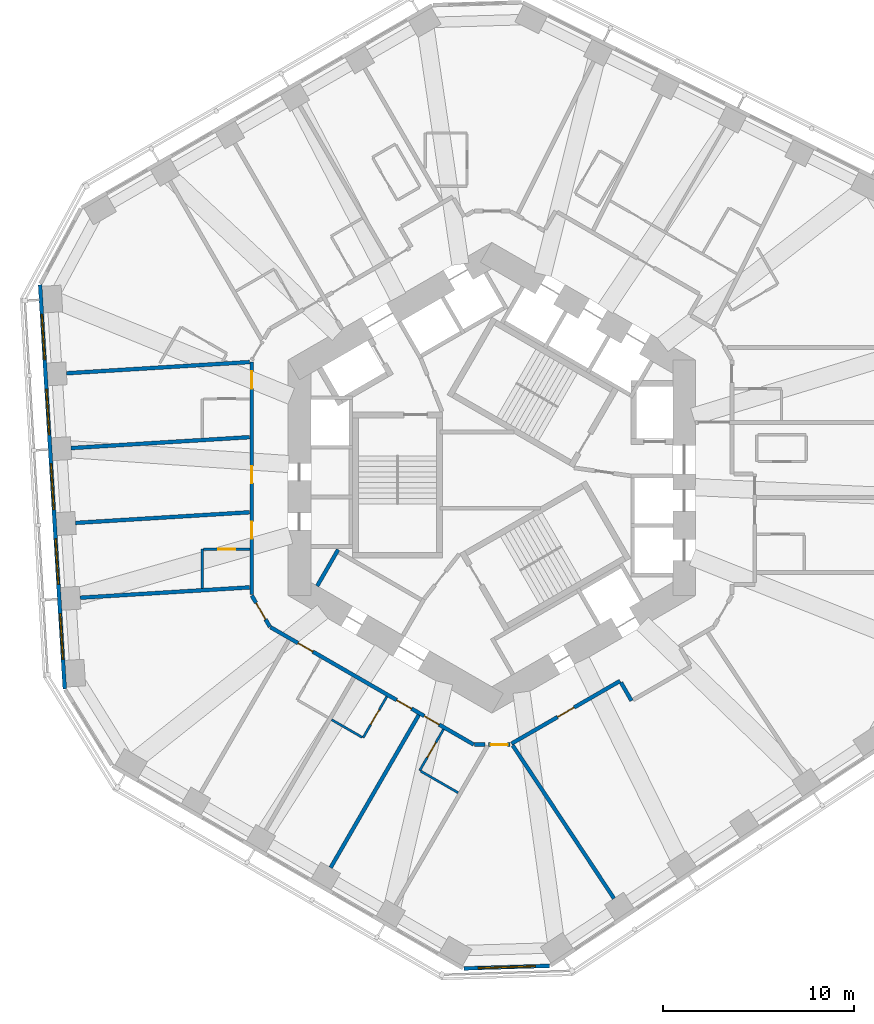
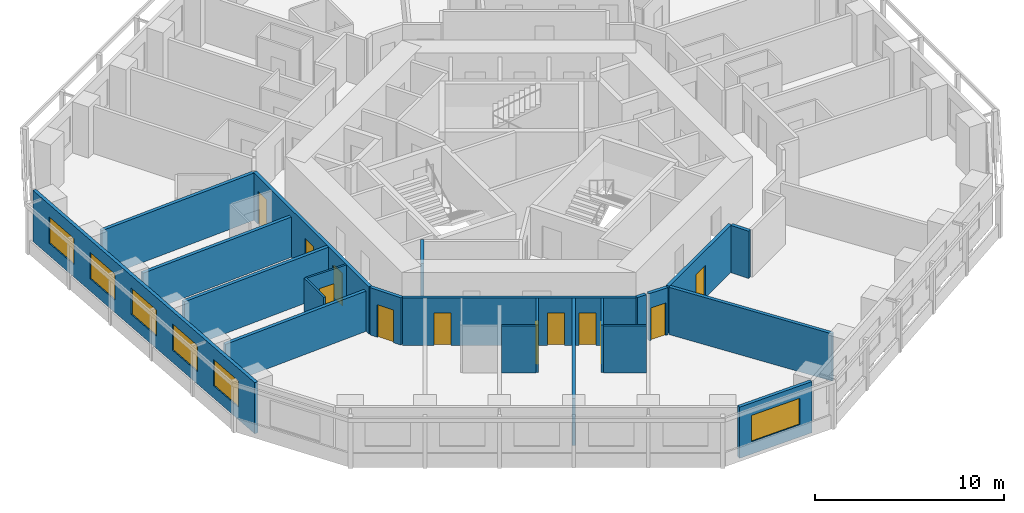
# One storey, part 4 of 12: 22 walls, 12 doors, 6 windows, 18 openings.
"""IFC4 building model written with IfcOpenShell, lengths in metres."""

import ifcopenshell
import ifcopenshell.guid

model = None  # the IFC model being written
_history = None  # IfcOwnerHistory: only IFC2X3 demands one
_inside = {}  # id of a spatial element -> (the spatial element, [elements in it])
_under = {}  # id of a project, library or spatial element -> (it, [spatial elements below it])
_declared = {}  # id of a project -> (the project, [libraries it declares])
_typed = {}  # id of a type object -> (the type object, [elements of that type])
_made_of = {}  # id of a material, layer set ... -> (it, [elements and type objects made of it])


def new_model(schema):
    """Start an empty IFC model of exactly this schema.

    Asked for "IFC4X3", IfcOpenShell would pick the latest addendum, in which some entities
    have other attributes; the version numbers below select the first issue.
    IFC2X3 requires an IfcOwnerHistory on every rooted entity: one is made here for all.
    """
    global model, _history
    if schema == "IFC4X3":
        model = ifcopenshell.file(schema_version=(4, 3, 0, 0))
    else:
        model = ifcopenshell.file(schema=schema)
    _inside.clear()
    _under.clear()
    _declared.clear()
    _typed.clear()
    _made_of.clear()
    _history = None
    if model.schema == "IFC2X3":
        org = make("IfcOrganization", Name="unknown")
        user = make(
            "IfcPersonAndOrganization",
            ThePerson=make("IfcPerson", FamilyName="unknown"),
            TheOrganization=org,
        )
        app = make(
            "IfcApplication",
            ApplicationDeveloper=org,
            Version="unknown",
            ApplicationFullName="unknown",
            ApplicationIdentifier="unknown",
        )
        _history = make(
            "IfcOwnerHistory",
            OwningUser=user,
            OwningApplication=app,
            ChangeAction="ADDED",
            CreationDate=0,
        )
    return model


def make(cls, **values):
    """One entity of the class cls with the attributes given. An attribute that is None is left unset."""
    return model.create_entity(
        cls, **{name: value for name, value in values.items() if value is not None}
    )


def rooted(cls, **values):
    """An entity with a GlobalId (a new one), such as an element, a storey or a relation."""
    return make(cls, GlobalId=ifcopenshell.guid.new(), OwnerHistory=_history, **values)


def si_unit(unit_type, name, prefix=None):
    """IfcSIUnit, for example si_unit("LENGTHUNIT", "METRE", prefix="MILLI")."""
    return make("IfcSIUnit", UnitType=unit_type, Prefix=prefix, Name=name)


def assignment(units):
    """IfcUnitAssignment: the units of a project."""
    return None if units is None else make("IfcUnitAssignment", Units=units)


def point(xyz):
    """IfcCartesianPoint."""
    return None if xyz is None else make("IfcCartesianPoint", Coordinates=xyz)


def direction(xyz):
    """IfcDirection."""
    return None if xyz is None else make("IfcDirection", DirectionRatios=xyz)


def frame(location, z_axis=None, x_axis=None):
    """IfcAxis2Placement3D, a coordinate frame: its origin and axes. An axis left out is left unset."""
    return make(
        "IfcAxis2Placement3D",
        Location=point(location),
        Axis=direction(z_axis),
        RefDirection=direction(x_axis),
    )


def frame_2d(location, x_axis=None):
    """IfcAxis2Placement2D, a coordinate frame in the plane: its origin and x axis."""
    return make(
        "IfcAxis2Placement2D", Location=point(location), RefDirection=direction(x_axis)
    )


def origin():
    """The frame at (0, 0, 0) with its axes left unset."""
    return frame((0.0, 0.0, 0.0))


def place(relative_to, where):
    """IfcLocalPlacement: puts the frame where relative to a parent placement (None: the world)."""
    return make(
        "IfcLocalPlacement", PlacementRelTo=relative_to, RelativePlacement=where
    )


def context(
    kind, dimensions, precision=None, world=None, true_north=None, identifier=None
):
    """IfcGeometricRepresentationContext, for example the 3D "Model" context."""
    return make(
        "IfcGeometricRepresentationContext",
        ContextIdentifier=identifier,
        ContextType=kind,
        CoordinateSpaceDimension=dimensions,
        Precision=precision,
        WorldCoordinateSystem=world,
        TrueNorth=true_north,
    )


def subcontext(parent, identifier, kind, view, scale=None):
    """IfcGeometricRepresentationSubContext, for example "Body" below "Model"."""
    return make(
        "IfcGeometricRepresentationSubContext",
        ContextIdentifier=identifier,
        ContextType=kind,
        ParentContext=parent,
        TargetScale=scale,
        TargetView=view,
    )


def project(units=None, contexts=None):
    """IfcProject with its units and contexts."""
    return rooted(
        "IfcProject",
        Name="project",
        RepresentationContexts=contexts,
        UnitsInContext=assignment(units),
    )


def spatial(cls, under=None, at=None, **own):
    """A site, building, storey or space (cls), placed at a placement, below another one or the project."""
    s = rooted(cls, ObjectPlacement=at, **own)
    if under is not None:
        _under.setdefault(under.id(), (under, []))[1].append(s)
    return s


def profile(cls, at=None, kind="AREA", **sizes):
    """A parametric profile (cls). Its sizes go by their IFC names, for example OverallWidth=200.0."""
    return make(cls, ProfileType=kind, Position=at, **sizes)


def rectangle(**sizes):
    """IfcRectangleProfileDef."""
    return profile("IfcRectangleProfileDef", **sizes)


def extrude(swept, where, along, depth):
    """IfcExtrudedAreaSolid: the profile swept, set in the frame where, extruded along a direction by depth."""
    return make(
        "IfcExtrudedAreaSolid",
        SweptArea=swept,
        Position=where,
        ExtrudedDirection=direction(along),
        Depth=depth,
    )


def shape(context_of_items, identifier, shape_type, items):
    """IfcShapeRepresentation: the items that make up one representation, for example the "Body"."""
    return make(
        "IfcShapeRepresentation",
        ContextOfItems=context_of_items,
        RepresentationIdentifier=identifier,
        RepresentationType=shape_type,
        Items=items,
    )


def material(Name=None, Category=None):
    """IfcMaterial."""
    return make("IfcMaterial", Name=Name, Category=Category)


def layer(
    of_material, thickness, ventilated=None, Name=None, Category=None, Priority=None
):
    """IfcMaterialLayer: one layer of a wall or slab, of a material (None: an air gap)."""
    return make(
        "IfcMaterialLayer",
        Material=of_material,
        LayerThickness=thickness,
        IsVentilated=ventilated,
        Name=Name,
        Category=Category,
        Priority=Priority,
    )


def layer_set(layers, Name=None):
    """IfcMaterialLayerSet."""
    return make("IfcMaterialLayerSet", MaterialLayers=layers, LayerSetName=Name)


def made_of(thing, what):
    """Note that an element or type object is made of a material, layer set ...; save() writes the relation."""
    if what is not None:
        _made_of.setdefault(what.id(), (what, []))[1].append(thing)
    return thing


def type_object(cls, material=None, **own):
    """A type object (cls), such as IfcWallType, which elements share."""
    return made_of(rooted(cls, **own), material)


def element(
    cls,
    number,
    at=None,
    inside=None,
    cuts=None,
    type_object=None,
    material=None,
    context=None,
    identifier="Body",
    shape_type=None,
    held_by="IfcProductDefinitionShape",
    body=None,
    shapes=None,
    **own,
):
    """One element of the class cls, such as IfcWall. Its Tag is "e" and its number.

    at: its placement. inside: the storey or other place that contains it. cuts: it is an
    opening in that element (IfcRelVoidsElement). A single representation is given by context,
    identifier, shape_type and body (its items); several are given by shapes. held_by: the class
    of the entity that holds the representations. save() writes the other relations.
    """
    e = rooted(cls, Tag="e%d" % number, ObjectPlacement=at, **own)
    if body is not None:
        shapes = [shape(context, identifier, shape_type, body)]
    if shapes is not None:
        e.Representation = make(held_by, Representations=shapes)
    if inside is not None:
        _inside.setdefault(inside.id(), (inside, []))[1].append(e)
    if cuts is not None:
        rooted(
            "IfcRelVoidsElement", RelatingBuildingElement=cuts, RelatedOpeningElement=e
        )
    if type_object is not None:
        _typed.setdefault(type_object.id(), (type_object, []))[1].append(e)
    return made_of(e, material)


def fill(opening, filler):
    """IfcRelFillsElement: the door or window that sits in an opening."""
    return rooted(
        "IfcRelFillsElement",
        RelatingOpeningElement=opening,
        RelatedBuildingElement=filler,
    )


def aggregate(whole, parts):
    """IfcRelAggregates: a whole, such as a stair, and the parts it consists of."""
    return rooted("IfcRelAggregates", RelatingObject=whole, RelatedObjects=parts)


def save(model, path):
    """Write the relations noted so far, then the file.

    IfcRelAggregates (storeys below a building ...), IfcRelContainedInSpatialStructure (elements
    in a storey), IfcRelDefinesByType, IfcRelAssociatesMaterial and IfcRelDeclares: one each for
    every whole, place, type object, material and project.
    """
    for whole, parts in _under.values():
        aggregate(whole, parts)
    for where, things in _inside.values():
        rooted(
            "IfcRelContainedInSpatialStructure",
            RelatedElements=things,
            RelatingStructure=where,
        )
    for kind, things in _typed.values():
        rooted("IfcRelDefinesByType", RelatedObjects=things, RelatingType=kind)
    for what, things in _made_of.values():
        rooted("IfcRelAssociatesMaterial", RelatedObjects=things, RelatingMaterial=what)
    for by, libraries in _declared.values():
        rooted("IfcRelDeclares", RelatingContext=by, RelatedDefinitions=libraries)
    model.write(path)


model = new_model("IFC4")

# Units and contexts
model_context = context("Model", 3, precision=1e-05, world=origin(), true_north=direction((0.0, 1.0)))
body_context = subcontext(model_context, "Body", "Model", "MODEL_VIEW")
ifc_project = project(units=[si_unit("LENGTHUNIT", "METRE"), si_unit("AREAUNIT", "SQUARE_METRE"), si_unit("VOLUMEUNIT", "CUBIC_METRE"), si_unit("PLANEANGLEUNIT", "RADIAN"), si_unit("MASSUNIT", "GRAM", prefix="KILO")], contexts=[model_context])

# Site, building, storey
site_placement = place(None, origin())
site = spatial("IfcSite", under=ifc_project, at=site_placement, CompositionType="ELEMENT")
building_placement = place(site_placement, origin())
building = spatial("IfcBuilding", under=site, at=building_placement, Name="Vanh Sen Convention Tower", CompositionType="ELEMENT")
storey_placement = place(building_placement, frame((0.0, 0.0, 86.89990234375)))
storey = spatial("IfcBuildingStorey", under=building, at=storey_placement, Name="L19", CompositionType="ELEMENT", Elevation=86.89990234375)

# Wall
ifc_material_1 = material(Name="Moisture-resistant gypsum board on steel studs", Category="steel")
ifc_layer_1 = layer(ifc_material_1, 0.1201171875)
ifc_layer_set_1 = layer_set([ifc_layer_1], Name="Moisture-resistant gypsum board on steel studs")
wall_type_1 = type_object("IfcWallType", Name="Bathroom partition 120", PredefinedType="PARTITIONING", material=ifc_layer_set_1)
wall_1_placement = place(storey_placement, frame((-15.199951171875, -5.8037109375, 0.0), z_axis=(0.0, 0.0, 1.0), x_axis=(0.0, 1.0, 0.0)))
element("IfcWall", 1, at=wall_1_placement, inside=storey, type_object=wall_type_1, Name="Bathroom partition 120", PredefinedType="PARTITIONING", context=body_context, shape_type="SweptSolid", body=[
    extrude(rectangle(XDim=2.059326171875, YDim=0.1201171875, at=frame_2d((1.02978515625, 0.0))), origin(), (0.0, 0.0, 1.0), 3.050048828125),
])

# Wall, opening, door
wall_2_placement = place(storey_placement, frame((-15.139892578125, -3.744384765625, 0.0), z_axis=(0.0, 0.0, 1.0), x_axis=(1.0, 0.0, 0.0)))
wall_2 = element("IfcWall", 2, at=wall_2_placement, inside=storey, type_object=wall_type_1, Name="Bathroom partition 120", PredefinedType="PARTITIONING", context=body_context, shape_type="SweptSolid", body=[
    extrude(rectangle(XDim=2.43994140625, YDim=0.1201171875, at=frame_2d((1.219970703125, 0.0))), origin(), (0.0, 0.0, 1.0), 3.050048828125),
])
opening_1_placement = place(wall_2_placement, frame((0.77001953125, 0.0, 0.0)))
opening_1 = element("IfcOpeningElement", 3, at=opening_1_placement, cuts=wall_2, Name="Opening D19129", PredefinedType="OPENING", context=body_context, shape_type="SweptSolid", body=[
    extrude(rectangle(XDim=0.89990234375, YDim=2.10009765625, at=frame_2d((0.449951171875, 1.050048828125))), frame((0.0, 0.070068359375, 0.0), z_axis=(0.0, -1.0, 0.0), x_axis=(1.0, 0.0, 0.0)), (0.0, 0.0, 1.0), 0.14013671875),
])
ifc_material_2 = material(Name="Laminate door in steel frame", Category="steel")
door_type_1 = type_object("IfcDoorType", Name="En-suite door 900", OperationType="SINGLE_SWING_LEFT", PredefinedType="DOOR", material=ifc_material_2)
door_1_placement = place(opening_1_placement, origin())
door_1 = element("IfcDoor", 4, at=door_1_placement, inside=storey, type_object=door_type_1, Name="En-suite door D19129", OperationType="SINGLE_SWING_LEFT", OverallHeight=2.10009765625, OverallWidth=0.89990234375, PredefinedType="DOOR", context=body_context, shape_type="SweptSolid", body=[
    extrude(rectangle(XDim=0.89990234375, YDim=2.10009765625, at=frame_2d((0.449951171875, 1.050048828125))), frame((0.0, 0.02490234375, 0.0), z_axis=(0.0, -1.0, 0.0), x_axis=(1.0, 0.0, 0.0)), (0.0, 0.0, 1.0), 0.050048828125),
])
fill(opening_1, door_1)

# Wall
wall_3_placement = place(storey_placement, frame((-6.81201171875, -13.618408203125, 0.0), z_axis=(0.0, 0.0, 1.0), x_axis=(-0.866046386007, 0.499963655964, 0.0)))
element("IfcWall", 5, at=wall_3_placement, inside=storey, type_object=wall_type_1, Name="Bathroom partition 120", PredefinedType="PARTITIONING", context=body_context, shape_type="SweptSolid", body=[
    extrude(rectangle(XDim=1.840087890625, YDim=0.1201171875, at=frame_2d((0.919921875, 0.0))), origin(), (0.0, 0.0, 1.0), 3.050048828125),
])

# Wall, opening, door
wall_4_placement = place(storey_placement, frame((-5.510009765625, -11.4833984375, 0.0), z_axis=(0.0, 0.0, 1.0), x_axis=(-0.500004234368, -0.866022959057, 0.0)))
wall_4 = element("IfcWall", 6, at=wall_4_placement, inside=storey, type_object=wall_type_1, Name="Bathroom partition 120", PredefinedType="PARTITIONING", context=body_context, shape_type="SweptSolid", body=[
    extrude(rectangle(XDim=2.5, YDim=0.1201171875, at=frame_2d((1.25, 0.0))), origin(), (0.0, 0.0, 1.0), 3.050048828125),
])
opening_2_placement = place(wall_4_placement, frame((0.800048828125, 0.0, 0.0)))
opening_2 = element("IfcOpeningElement", 7, at=opening_2_placement, cuts=wall_4, Name="Opening D19134", PredefinedType="OPENING", context=body_context, shape_type="SweptSolid", body=[
    extrude(rectangle(XDim=0.89990234375, YDim=2.10009765625, at=frame_2d((0.449951171875, 1.050048828125))), frame((0.0, 0.070068359375, 0.0), z_axis=(0.0, -1.0, 0.0), x_axis=(1.0, 0.0, 0.0)), (0.0, 0.0, 1.0), 0.14013671875),
])
door_2_placement = place(opening_2_placement, origin())
door_2 = element("IfcDoor", 8, at=door_2_placement, inside=storey, type_object=door_type_1, Name="En-suite door D19134", OperationType="SINGLE_SWING_LEFT", OverallHeight=2.10009765625, OverallWidth=0.89990234375, PredefinedType="DOOR", context=body_context, shape_type="SweptSolid", body=[
    extrude(rectangle(XDim=0.89990234375, YDim=2.10009765625, at=frame_2d((0.449951171875, 1.050048828125))), frame((0.0, 0.02490234375, 0.0), z_axis=(0.0, -1.0, 0.0), x_axis=(1.0, 0.0, 0.0)), (0.0, 0.0, 1.0), 0.050048828125),
])
fill(opening_2, door_2)

wall_5_placement = place(storey_placement, frame((-3.78564453125, -15.36572265625, 0.0), z_axis=(0.0, 0.0, 1.0), x_axis=(0.500004234368, 0.866022959057, 0.0)))
wall_5 = element("IfcWall", 9, at=wall_5_placement, inside=storey, type_object=wall_type_1, Name="Bathroom partition 120", PredefinedType="PARTITIONING", context=body_context, shape_type="SweptSolid", body=[
    extrude(rectangle(XDim=2.5, YDim=0.1201171875, at=frame_2d((1.25, 0.0))), origin(), (0.0, 0.0, 1.0), 3.050048828125),
])
opening_3_placement = place(wall_5_placement, frame((0.800048828125, 0.0, 0.0)))
opening_3 = element("IfcOpeningElement", 10, at=opening_3_placement, cuts=wall_5, Name="Opening D19136", PredefinedType="OPENING", context=body_context, shape_type="SweptSolid", body=[
    extrude(rectangle(XDim=0.89990234375, YDim=2.10009765625, at=frame_2d((0.449951171875, 1.050048828125))), frame((0.0, 0.070068359375, 0.0), z_axis=(0.0, -1.0, 0.0), x_axis=(1.0, 0.0, 0.0)), (0.0, 0.0, 1.0), 0.14013671875),
])
door_3_placement = place(opening_3_placement, origin())
door_3 = element("IfcDoor", 11, at=door_3_placement, inside=storey, type_object=door_type_1, Name="En-suite door D19136", OperationType="SINGLE_SWING_LEFT", OverallHeight=2.10009765625, OverallWidth=0.89990234375, PredefinedType="DOOR", context=body_context, shape_type="SweptSolid", body=[
    extrude(rectangle(XDim=0.89990234375, YDim=2.10009765625, at=frame_2d((0.449951171875, 1.050048828125))), frame((0.0, 0.02490234375, 0.0), z_axis=(0.0, -1.0, 0.0), x_axis=(1.0, 0.0, 0.0)), (0.0, 0.0, 1.0), 0.050048828125),
])
fill(opening_3, door_3)

# Wall
wall_6_placement = place(storey_placement, frame((-1.763671875, -16.533203125, 0.0), z_axis=(0.0, 0.0, 1.0), x_axis=(-0.866008641419, 0.500029032144, 0.0)))
element("IfcWall", 12, at=wall_6_placement, inside=storey, type_object=wall_type_1, Name="Bathroom partition 120", PredefinedType="PARTITIONING", context=body_context, shape_type="SweptSolid", body=[
    extrude(rectangle(XDim=2.274658203125, YDim=0.1201171875, at=frame_2d((1.13720703125, 0.0))), origin(), (0.0, 0.0, 1.0), 3.050048828125),
])

# Wall, opening, door
ifc_material_3 = material(Name="Gypsum board on steel studs with mineral wool", Category="steel")
ifc_layer_2 = layer(ifc_material_3, 0.199951171875)
ifc_layer_set_2 = layer_set([ifc_layer_2], Name="Gypsum board on steel studs with mineral wool")
wall_type_2 = type_object("IfcWallType", Name="Corridor partition wall 200", PredefinedType="PARTITIONING", material=ifc_layer_set_2)
wall_7_placement = place(storey_placement, frame((-12.60009765625, -6.177490234375, 0.0), z_axis=(0.0, 0.0, 1.0), x_axis=(0.500063520245, -0.865988727248, 0.0)))
wall_7 = element("IfcWall", 13, at=wall_7_placement, inside=storey, type_object=wall_type_2, Name="Corridor partition wall 200", PredefinedType="PARTITIONING", context=body_context, shape_type="SweptSolid", body=[
    extrude(rectangle(XDim=1.900146484375, YDim=0.199951171875, at=frame_2d((0.9501953125, 0.0))), origin(), (0.0, 0.0, 1.0), 3.050048828125),
])
opening_4_placement = place(wall_7_placement, frame((0.449951171875, 0.0, 0.0)))
opening_4 = element("IfcOpeningElement", 14, at=opening_4_placement, cuts=wall_7, Name="Opening D19130", PredefinedType="OPENING", context=body_context, shape_type="SweptSolid", body=[
    extrude(rectangle(XDim=1.0, YDim=2.10009765625, at=frame_2d((0.5, 1.050048828125))), frame((0.0, 0.10986328125, 0.0), z_axis=(0.0, -1.0, 0.0), x_axis=(1.0, 0.0, 0.0)), (0.0, 0.0, 1.0), 0.219970703125),
])
ifc_material_4 = material(Name="Timber fire door in steel frame", Category="steel")
door_type_2 = type_object("IfcDoorType", Name="Floor room door 1000", OperationType="SINGLE_SWING_LEFT", PredefinedType="DOOR", material=ifc_material_4)
door_4_placement = place(opening_4_placement, origin())
door_4 = element("IfcDoor", 15, at=door_4_placement, inside=storey, type_object=door_type_2, Name="Meeting and amenity room door D19130", OperationType="SINGLE_SWING_LEFT", OverallHeight=2.10009765625, OverallWidth=1.0, PredefinedType="DOOR", context=body_context, shape_type="SweptSolid", body=[
    extrude(rectangle(XDim=1.0, YDim=2.10009765625, at=frame_2d((0.5, 1.050048828125))), frame((0.0, 0.02490234375, 0.0), z_axis=(0.0, -1.0, 0.0), x_axis=(1.0, 0.0, 0.0)), (0.0, 0.0, 1.0), 0.050048828125),
])
fill(opening_4, door_4)

# Wall, openings, doors
wall_8_placement = place(storey_placement, frame((-12.60009765625, 6.081298828125, 0.0), z_axis=(0.0, 0.0, 1.0), x_axis=(0.0, -1.0, 0.0)))
wall_8 = element("IfcWall", 16, at=wall_8_placement, inside=storey, type_object=wall_type_2, Name="Corridor partition wall 200", PredefinedType="PARTITIONING", context=body_context, shape_type="SweptSolid", body=[
    extrude(rectangle(XDim=12.218994140625, YDim=0.199951171875, at=frame_2d((6.109375, 0.0))), origin(), (0.0, 0.0, 1.0), 3.050048828125),
])
opening_5_placement = place(wall_8_placement, frame((0.495849609375, 0.0, 0.0)))
opening_5 = element("IfcOpeningElement", 17, at=opening_5_placement, cuts=wall_8, Name="Opening D19125", PredefinedType="OPENING", context=body_context, shape_type="SweptSolid", body=[
    extrude(rectangle(XDim=0.89990234375, YDim=2.10009765625, at=frame_2d((0.449951171875, 1.050048828125))), frame((0.0, 0.10986328125, 0.0), z_axis=(0.0, -1.0, 0.0), x_axis=(1.0, 0.0, 0.0)), (0.0, 0.0, 1.0), 0.219970703125),
])
opening_6_placement = place(wall_8_placement, frame((5.462890625, 0.0, 0.0)))
opening_6 = element("IfcOpeningElement", 18, at=opening_6_placement, cuts=wall_8, Name="Opening D19127", PredefinedType="OPENING", context=body_context, shape_type="SweptSolid", body=[
    extrude(rectangle(XDim=0.89990234375, YDim=2.10009765625, at=frame_2d((0.449951171875, 1.050048828125))), frame((0.0, 0.10986328125, 0.0), z_axis=(0.0, -1.0, 0.0), x_axis=(1.0, 0.0, 0.0)), (0.0, 0.0, 1.0), 0.219970703125),
])
opening_7_placement = place(wall_8_placement, frame((8.3798828125, 0.0, 0.0)))
opening_7 = element("IfcOpeningElement", 19, at=opening_7_placement, cuts=wall_8, Name="Opening D19128", PredefinedType="OPENING", context=body_context, shape_type="SweptSolid", body=[
    extrude(rectangle(XDim=0.89990234375, YDim=2.10009765625, at=frame_2d((0.449951171875, 1.050048828125))), frame((0.0, 0.10986328125, 0.0), z_axis=(0.0, -1.0, 0.0), x_axis=(1.0, 0.0, 0.0)), (0.0, 0.0, 1.0), 0.219970703125),
])
door_type_3 = type_object("IfcDoorType", Name="Floor service door 900", OperationType="SINGLE_SWING_LEFT", PredefinedType="DOOR", material=ifc_material_4)
door_5_placement = place(opening_6_placement, origin())
door_5 = element("IfcDoor", 20, at=door_5_placement, inside=storey, type_object=door_type_3, Name="Service room door D19127", OperationType="SINGLE_SWING_LEFT", OverallHeight=2.10009765625, OverallWidth=0.89990234375, PredefinedType="DOOR", context=body_context, shape_type="SweptSolid", body=[
    extrude(rectangle(XDim=0.89990234375, YDim=2.10009765625, at=frame_2d((0.449951171875, 1.050048828125))), frame((0.0, 0.02490234375, 0.0), z_axis=(0.0, -1.0, 0.0), x_axis=(1.0, 0.0, 0.0)), (0.0, 0.0, 1.0), 0.050048828125),
])
fill(opening_6, door_5)
door_type_4 = type_object("IfcDoorType", Name="Guest room door 900", OperationType="SINGLE_SWING_LEFT", PredefinedType="DOOR", material=ifc_material_4)
door_6_placement = place(opening_5_placement, origin())
door_6 = element("IfcDoor", 21, at=door_6_placement, inside=storey, type_object=door_type_4, Name="Hotel guest room door D19125", OperationType="SINGLE_SWING_LEFT", OverallHeight=2.10009765625, OverallWidth=0.89990234375, PredefinedType="DOOR", context=body_context, shape_type="SweptSolid", body=[
    extrude(rectangle(XDim=0.89990234375, YDim=2.10009765625, at=frame_2d((0.449951171875, 1.050048828125))), frame((0.0, 0.02490234375, 0.0), z_axis=(0.0, -1.0, 0.0), x_axis=(1.0, 0.0, 0.0)), (0.0, 0.0, 1.0), 0.050048828125),
])
fill(opening_5, door_6)
door_7_placement = place(opening_7_placement, origin())
door_7 = element("IfcDoor", 22, at=door_7_placement, inside=storey, type_object=door_type_4, Name="Hotel guest room door D19128", OperationType="SINGLE_SWING_LEFT", OverallHeight=2.10009765625, OverallWidth=0.89990234375, PredefinedType="DOOR", context=body_context, shape_type="SweptSolid", body=[
    extrude(rectangle(XDim=0.89990234375, YDim=2.10009765625, at=frame_2d((0.449951171875, 1.050048828125))), frame((0.0, 0.02490234375, 0.0), z_axis=(0.0, -1.0, 0.0), x_axis=(1.0, 0.0, 0.0)), (0.0, 0.0, 1.0), 0.050048828125),
])
fill(opening_7, door_7)

wall_9_placement = place(storey_placement, frame((-11.615478515625, -7.843017578125, 0.0), z_axis=(0.0, 0.0, 1.0), x_axis=(0.866026466995, -0.499998158461, 0.0)))
wall_9 = element("IfcWall", 23, at=wall_9_placement, inside=storey, type_object=wall_type_2, Name="Corridor partition wall 200", PredefinedType="PARTITIONING", context=body_context, shape_type="SweptSolid", body=[
    extrude(rectangle(XDim=12.3154296875, YDim=0.199951171875, at=frame_2d((6.15771484375, 0.0))), origin(), (0.0, 0.0, 1.0), 3.050048828125),
])
opening_8_placement = place(wall_9_placement, frame((1.665283203125, 0.0, 0.0)))
opening_8 = element("IfcOpeningElement", 24, at=opening_8_placement, cuts=wall_9, Name="Opening D19131", PredefinedType="OPENING", context=body_context, shape_type="SweptSolid", body=[
    extrude(rectangle(XDim=0.89990234375, YDim=2.10009765625, at=frame_2d((0.449951171875, 1.050048828125))), frame((0.0, 0.10986328125, 0.0), z_axis=(0.0, -1.0, 0.0), x_axis=(1.0, 0.0, 0.0)), (0.0, 0.0, 1.0), 0.219970703125),
])
opening_9_placement = place(wall_9_placement, frame((7.64990234375, 0.0, 0.0)))
opening_9 = element("IfcOpeningElement", 25, at=opening_9_placement, cuts=wall_9, Name="Opening D19133", PredefinedType="OPENING", context=body_context, shape_type="SweptSolid", body=[
    extrude(rectangle(XDim=0.89990234375, YDim=2.10009765625, at=frame_2d((0.449951171875, 1.050048828125))), frame((0.0, 0.10986328125, 0.0), z_axis=(0.0, -1.0, 0.0), x_axis=(1.0, 0.0, 0.0)), (0.0, 0.0, 1.0), 0.219970703125),
])
opening_10_placement = place(wall_9_placement, frame((9.317138671875, 0.0, 0.0)))
opening_10 = element("IfcOpeningElement", 26, at=opening_10_placement, cuts=wall_9, Name="Opening D19135", PredefinedType="OPENING", context=body_context, shape_type="SweptSolid", body=[
    extrude(rectangle(XDim=0.89990234375, YDim=2.10009765625, at=frame_2d((0.449951171875, 1.050048828125))), frame((0.0, 0.10986328125, 0.0), z_axis=(0.0, -1.0, 0.0), x_axis=(1.0, 0.0, 0.0)), (0.0, 0.0, 1.0), 0.219970703125),
])
door_8_placement = place(opening_8_placement, origin())
door_8 = element("IfcDoor", 27, at=door_8_placement, inside=storey, type_object=door_type_4, Name="Hotel guest room door D19131", OperationType="SINGLE_SWING_LEFT", OverallHeight=2.10009765625, OverallWidth=0.89990234375, PredefinedType="DOOR", context=body_context, shape_type="SweptSolid", body=[
    extrude(rectangle(XDim=0.89990234375, YDim=2.10009765625, at=frame_2d((0.449951171875, 1.050048828125))), frame((0.0, 0.02490234375, 0.0), z_axis=(0.0, -1.0, 0.0), x_axis=(1.0, 0.0, 0.0)), (0.0, 0.0, 1.0), 0.050048828125),
])
fill(opening_8, door_8)
door_9_placement = place(opening_9_placement, origin())
door_9 = element("IfcDoor", 28, at=door_9_placement, inside=storey, type_object=door_type_4, Name="Hotel guest room door D19133", OperationType="SINGLE_SWING_LEFT", OverallHeight=2.10009765625, OverallWidth=0.89990234375, PredefinedType="DOOR", context=body_context, shape_type="SweptSolid", body=[
    extrude(rectangle(XDim=0.89990234375, YDim=2.10009765625, at=frame_2d((0.449951171875, 1.050048828125))), frame((0.0, 0.02490234375, 0.0), z_axis=(0.0, -1.0, 0.0), x_axis=(1.0, 0.0, 0.0)), (0.0, 0.0, 1.0), 0.050048828125),
])
fill(opening_9, door_9)
door_10_placement = place(opening_10_placement, origin())
door_10 = element("IfcDoor", 29, at=door_10_placement, inside=storey, type_object=door_type_4, Name="Hotel guest room door D19135", OperationType="SINGLE_SWING_LEFT", OverallHeight=2.10009765625, OverallWidth=0.89990234375, PredefinedType="DOOR", context=body_context, shape_type="SweptSolid", body=[
    extrude(rectangle(XDim=0.89990234375, YDim=2.10009765625, at=frame_2d((0.449951171875, 1.050048828125))), frame((0.0, 0.02490234375, 0.0), z_axis=(0.0, -1.0, 0.0), x_axis=(1.0, 0.0, 0.0)), (0.0, 0.0, 1.0), 0.050048828125),
])
fill(opening_10, door_10)

# Wall
wall_10_placement = place(storey_placement, frame((-0.909912109375, -14.000732421875, 0.0), z_axis=(0.0, 0.0, 1.0), x_axis=(1.0, 0.0, 0.0)))
element("IfcWall", 30, at=wall_10_placement, inside=storey, type_object=wall_type_2, Name="Corridor partition wall 200", PredefinedType="PARTITIONING", context=body_context, shape_type="SweptSolid", body=[
    extrude(rectangle(XDim=0.559814453125, YDim=0.199951171875, at=frame_2d((0.27978515625, 0.0))), origin(), (0.0, 0.0, 1.0), 3.050048828125),
])

# Wall, opening, door
wall_11_placement = place(storey_placement, frame((-0.186279296875, -14.000732421875, 0.0), z_axis=(0.0, 0.0, 1.0), x_axis=(1.0, 0.0, 0.0)))
wall_11 = element("IfcWall", 31, at=wall_11_placement, inside=storey, type_object=wall_type_2, Name="Corridor partition wall 200", PredefinedType="PARTITIONING", context=body_context, shape_type="SweptSolid", body=[
    extrude(rectangle(XDim=1.13623046875, YDim=0.199951171875, at=frame_2d((0.568115234375, 0.0))), origin(), (0.0, 0.0, 1.0), 3.050048828125),
])
opening_11_placement = place(wall_11_placement, frame((0.1181640625, 0.0, 0.0)))
opening_11 = element("IfcOpeningElement", 32, at=opening_11_placement, cuts=wall_11, Name="Opening D19137", PredefinedType="OPENING", context=body_context, shape_type="SweptSolid", body=[
    extrude(rectangle(XDim=0.89990234375, YDim=2.10009765625, at=frame_2d((0.449951171875, 1.050048828125))), frame((0.0, 0.10986328125, 0.0), z_axis=(0.0, -1.0, 0.0), x_axis=(1.0, 0.0, 0.0)), (0.0, 0.0, 1.0), 0.219970703125),
])
door_type_5 = type_object("IfcDoorType", Name="Floor room door 900", OperationType="SINGLE_SWING_LEFT", PredefinedType="DOOR", material=ifc_material_4)
door_11_placement = place(opening_11_placement, origin())
door_11 = element("IfcDoor", 33, at=door_11_placement, inside=storey, type_object=door_type_5, Name="Meeting and amenity room door D19137", OperationType="SINGLE_SWING_LEFT", OverallHeight=2.10009765625, OverallWidth=0.89990234375, PredefinedType="DOOR", context=body_context, shape_type="SweptSolid", body=[
    extrude(rectangle(XDim=0.89990234375, YDim=2.10009765625, at=frame_2d((0.449951171875, 1.050048828125))), frame((0.0, 0.02490234375, 0.0), z_axis=(0.0, -1.0, 0.0), x_axis=(1.0, 0.0, 0.0)), (0.0, 0.0, 1.0), 0.050048828125),
])
fill(opening_11, door_11)

wall_12_placement = place(storey_placement, frame((1.033447265625, -13.95263671875, 0.0), z_axis=(0.0, 0.0, 1.0), x_axis=(0.866017531406, 0.500013635111, 0.0)))
wall_12 = element("IfcWall", 34, at=wall_12_placement, inside=storey, type_object=wall_type_2, Name="Corridor partition wall 200", PredefinedType="PARTITIONING", context=body_context, shape_type="SweptSolid", body=[
    extrude(rectangle(XDim=6.580322265625, YDim=0.199951171875, at=frame_2d((3.2900390625, 0.0))), origin(), (0.0, 0.0, 1.0), 3.050048828125),
])
opening_12_placement = place(wall_12_placement, frame((2.7900390625, 0.0, 0.0)))
opening_12 = element("IfcOpeningElement", 35, at=opening_12_placement, cuts=wall_12, Name="Opening D19138", PredefinedType="OPENING", context=body_context, shape_type="SweptSolid", body=[
    extrude(rectangle(XDim=1.0, YDim=2.10009765625, at=frame_2d((0.5, 1.050048828125))), frame((0.0, 0.10986328125, 0.0), z_axis=(0.0, -1.0, 0.0), x_axis=(1.0, 0.0, 0.0)), (0.0, 0.0, 1.0), 0.219970703125),
])
door_12_placement = place(opening_12_placement, origin())
door_12 = element("IfcDoor", 36, at=door_12_placement, inside=storey, type_object=door_type_2, Name="Meeting and amenity room door D19138", OperationType="SINGLE_SWING_LEFT", OverallHeight=2.10009765625, OverallWidth=1.0, PredefinedType="DOOR", context=body_context, shape_type="SweptSolid", body=[
    extrude(rectangle(XDim=1.0, YDim=2.10009765625, at=frame_2d((0.5, 1.050048828125))), frame((0.0, 0.02490234375, 0.0), z_axis=(0.0, -1.0, 0.0), x_axis=(1.0, 0.0, 0.0)), (0.0, 0.0, 1.0), 0.050048828125),
])
fill(opening_12, door_12)

# Wall
wall_13_placement = place(storey_placement, frame((6.781982421875, -10.7490234375, 0.0), z_axis=(0.0, 0.0, 1.0), x_axis=(0.500074377092, -0.865982457891, 0.0)))
element("IfcWall", 37, at=wall_13_placement, inside=storey, type_object=wall_type_2, Name="Corridor partition wall 200", PredefinedType="PARTITIONING", context=body_context, shape_type="SweptSolid", body=[
    extrude(rectangle(XDim=1.100830078125, YDim=0.199951171875, at=frame_2d((0.55029296875, 0.0))), origin(), (0.0, 0.0, 1.0), 3.050048828125),
])

# Wall, openings, windows
ifc_material_5 = material(Name="Insulated lightweight infill wall")
ifc_layer_3 = layer(ifc_material_5, 0.199951171875)
ifc_layer_set_3 = layer_set([ifc_layer_3], Name="Insulated lightweight infill wall")
wall_type_3 = type_object("IfcWallType", Name="External wall 200", PredefinedType="STANDARD", material=ifc_layer_set_3)
wall_14_placement = place(storey_placement, frame((-23.712646484375, 10.130859375, 0.0), z_axis=(0.0, 0.0, 1.0), x_axis=(0.061040439785, -0.998135293791, 0.0)))
wall_14 = element("IfcWall", 38, at=wall_14_placement, inside=storey, type_object=wall_type_3, Name="External wall W L19", PredefinedType="STANDARD", context=body_context, shape_type="SweptSolid", body=[
    extrude(rectangle(XDim=21.24609375, YDim=0.199951171875, at=frame_2d((10.623046875, 0.0))), origin(), (0.0, 0.0, 1.0), 3.300048828125),
])
opening_13_placement = place(wall_14_placement, frame((1.552978515625, 0.0, 0.800048828125)))
opening_13 = element("IfcOpeningElement", 39, at=opening_13_placement, cuts=wall_14, Name="Opening WH1-W1", PredefinedType="OPENING", context=body_context, shape_type="SweptSolid", body=[
    extrude(rectangle(XDim=2.39990234375, YDim=1.699951171875, at=frame_2d((1.199951171875, 0.85009765625))), frame((0.0, 0.10986328125, 0.0), z_axis=(0.0, -1.0, 0.0), x_axis=(1.0, 0.0, 0.0)), (0.0, 0.0, 1.0), 0.219970703125),
])
opening_14_placement = place(wall_14_placement, frame((5.48779296875, 0.0, 0.800048828125)))
opening_14 = element("IfcOpeningElement", 40, at=opening_14_placement, cuts=wall_14, Name="Opening WH1-W2", PredefinedType="OPENING", context=body_context, shape_type="SweptSolid", body=[
    extrude(rectangle(XDim=2.39990234375, YDim=1.699951171875, at=frame_2d((1.199951171875, 0.85009765625))), frame((0.0, 0.10986328125, 0.0), z_axis=(0.0, -1.0, 0.0), x_axis=(1.0, 0.0, 0.0)), (0.0, 0.0, 1.0), 0.219970703125),
])
opening_15_placement = place(wall_14_placement, frame((9.42236328125, 0.0, 0.800048828125)))
opening_15 = element("IfcOpeningElement", 41, at=opening_15_placement, cuts=wall_14, Name="Opening WH1-W3", PredefinedType="OPENING", context=body_context, shape_type="SweptSolid", body=[
    extrude(rectangle(XDim=2.39990234375, YDim=1.699951171875, at=frame_2d((1.199951171875, 0.85009765625))), frame((0.0, 0.10986328125, 0.0), z_axis=(0.0, -1.0, 0.0), x_axis=(1.0, 0.0, 0.0)), (0.0, 0.0, 1.0), 0.219970703125),
])
opening_16_placement = place(wall_14_placement, frame((13.35693359375, 0.0, 0.800048828125)))
opening_16 = element("IfcOpeningElement", 42, at=opening_16_placement, cuts=wall_14, Name="Opening WH1-W4", PredefinedType="OPENING", context=body_context, shape_type="SweptSolid", body=[
    extrude(rectangle(XDim=2.39990234375, YDim=1.699951171875, at=frame_2d((1.199951171875, 0.85009765625))), frame((0.0, 0.10986328125, 0.0), z_axis=(0.0, -1.0, 0.0), x_axis=(1.0, 0.0, 0.0)), (0.0, 0.0, 1.0), 0.219970703125),
])
opening_17_placement = place(wall_14_placement, frame((17.29150390625, 0.0, 0.800048828125)))
opening_17 = element("IfcOpeningElement", 43, at=opening_17_placement, cuts=wall_14, Name="Opening WH1-W5", PredefinedType="OPENING", context=body_context, shape_type="SweptSolid", body=[
    extrude(rectangle(XDim=2.39990234375, YDim=1.699951171875, at=frame_2d((1.199951171875, 0.85009765625))), frame((0.0, 0.10986328125, 0.0), z_axis=(0.0, -1.0, 0.0), x_axis=(1.0, 0.0, 0.0)), (0.0, 0.0, 1.0), 0.219970703125),
])
ifc_material_6 = material(Name="Aluminium frame with clear low-emissivity glass", Category="aluminium")
window_type_1 = type_object("IfcWindowType", Name="Hotel window 2400 x 1700", PartitioningType="SINGLE_PANEL", PredefinedType="WINDOW", material=ifc_material_6)
window_1_placement = place(opening_13_placement, origin())
window_1 = element("IfcWindow", 44, at=window_1_placement, inside=storey, type_object=window_type_1, Name="Window WH1-W1", OverallHeight=1.699951171875, OverallWidth=2.39990234375, PartitioningType="SINGLE_PANEL", PredefinedType="WINDOW", context=body_context, shape_type="SweptSolid", body=[
    extrude(rectangle(XDim=2.39990234375, YDim=1.699951171875, at=frame_2d((1.199951171875, 0.85009765625))), frame((0.0, 0.030029296875, 0.0), z_axis=(0.0, -1.0, 0.0), x_axis=(1.0, 0.0, 0.0)), (0.0, 0.0, 1.0), 0.06005859375),
])
fill(opening_13, window_1)
window_2_placement = place(opening_14_placement, origin())
window_2 = element("IfcWindow", 45, at=window_2_placement, inside=storey, type_object=window_type_1, Name="Window WH1-W2", OverallHeight=1.699951171875, OverallWidth=2.39990234375, PartitioningType="SINGLE_PANEL", PredefinedType="WINDOW", context=body_context, shape_type="SweptSolid", body=[
    extrude(rectangle(XDim=2.39990234375, YDim=1.699951171875, at=frame_2d((1.199951171875, 0.85009765625))), frame((0.0, 0.030029296875, 0.0), z_axis=(0.0, -1.0, 0.0), x_axis=(1.0, 0.0, 0.0)), (0.0, 0.0, 1.0), 0.06005859375),
])
fill(opening_14, window_2)
window_3_placement = place(opening_15_placement, origin())
window_3 = element("IfcWindow", 46, at=window_3_placement, inside=storey, type_object=window_type_1, Name="Window WH1-W3", OverallHeight=1.699951171875, OverallWidth=2.39990234375, PartitioningType="SINGLE_PANEL", PredefinedType="WINDOW", context=body_context, shape_type="SweptSolid", body=[
    extrude(rectangle(XDim=2.39990234375, YDim=1.699951171875, at=frame_2d((1.199951171875, 0.85009765625))), frame((0.0, 0.030029296875, 0.0), z_axis=(0.0, -1.0, 0.0), x_axis=(1.0, 0.0, 0.0)), (0.0, 0.0, 1.0), 0.06005859375),
])
fill(opening_15, window_3)
window_4_placement = place(opening_16_placement, origin())
window_4 = element("IfcWindow", 47, at=window_4_placement, inside=storey, type_object=window_type_1, Name="Window WH1-W4", OverallHeight=1.699951171875, OverallWidth=2.39990234375, PartitioningType="SINGLE_PANEL", PredefinedType="WINDOW", context=body_context, shape_type="SweptSolid", body=[
    extrude(rectangle(XDim=2.39990234375, YDim=1.699951171875, at=frame_2d((1.199951171875, 0.85009765625))), frame((0.0, 0.030029296875, 0.0), z_axis=(0.0, -1.0, 0.0), x_axis=(1.0, 0.0, 0.0)), (0.0, 0.0, 1.0), 0.06005859375),
])
fill(opening_16, window_4)
window_5_placement = place(opening_17_placement, origin())
window_5 = element("IfcWindow", 48, at=window_5_placement, inside=storey, type_object=window_type_1, Name="Window WH1-W5", OverallHeight=1.699951171875, OverallWidth=2.39990234375, PartitioningType="SINGLE_PANEL", PredefinedType="WINDOW", context=body_context, shape_type="SweptSolid", body=[
    extrude(rectangle(XDim=2.39990234375, YDim=1.699951171875, at=frame_2d((1.199951171875, 0.85009765625))), frame((0.0, 0.030029296875, 0.0), z_axis=(0.0, -1.0, 0.0), x_axis=(1.0, 0.0, 0.0)), (0.0, 0.0, 1.0), 0.06005859375),
])
fill(opening_17, window_5)

# Wall, opening, window
wall_15_placement = place(storey_placement, frame((-1.461181640625, -25.7548828125, 0.0), z_axis=(0.0, 0.0, 1.0), x_axis=(0.999533823446, 0.030530898895, 0.0)))
wall_15 = element("IfcWall", 49, at=wall_15_placement, inside=storey, type_object=wall_type_3, Name="External wall CH5 L19", PredefinedType="STANDARD", context=body_context, shape_type="SweptSolid", body=[
    extrude(rectangle(XDim=4.494140625, YDim=0.199951171875, at=frame_2d((2.2470703125, 0.0))), origin(), (0.0, 0.0, 1.0), 3.300048828125),
])
opening_18_placement = place(wall_15_placement, frame((0.7470703125, 0.0, 0.800048828125)))
opening_18 = element("IfcOpeningElement", 50, at=opening_18_placement, cuts=wall_15, Name="Opening WH2-CH51", PredefinedType="OPENING", context=body_context, shape_type="SweptSolid", body=[
    extrude(rectangle(XDim=3.0, YDim=1.699951171875, at=frame_2d((1.5, 0.85009765625))), frame((0.0, 0.10986328125, 0.0), z_axis=(0.0, -1.0, 0.0), x_axis=(1.0, 0.0, 0.0)), (0.0, 0.0, 1.0), 0.219970703125),
])
window_type_2 = type_object("IfcWindowType", Name="Hotel window 3000 x 1700", PartitioningType="SINGLE_PANEL", PredefinedType="WINDOW", material=ifc_material_6)
window_6_placement = place(opening_18_placement, origin())
window_6 = element("IfcWindow", 51, at=window_6_placement, inside=storey, type_object=window_type_2, Name="Window WH2-CH51", OverallHeight=1.699951171875, OverallWidth=3.0, PartitioningType="SINGLE_PANEL", PredefinedType="WINDOW", context=body_context, shape_type="SweptSolid", body=[
    extrude(rectangle(XDim=3.0, YDim=1.699951171875, at=frame_2d((1.5, 0.85009765625))), frame((0.0, 0.030029296875, 0.0), z_axis=(0.0, -1.0, 0.0), x_axis=(1.0, 0.0, 0.0)), (0.0, 0.0, 1.0), 0.06005859375),
])
fill(opening_18, window_6)

# Walls
ifc_layer_4 = layer(ifc_material_3, 0.199951171875)
ifc_layer_set_4 = layer_set([ifc_layer_4], Name="Gypsum board on steel studs with mineral wool")
wall_type_4 = type_object("IfcWallType", Name="Hotel party wall 200", PredefinedType="PARTITIONING", material=ifc_layer_set_4)
wall_16_placement = place(storey_placement, frame((-22.32666015625, 5.486328125, 0.0), z_axis=(0.0, 0.0, 1.0), x_axis=(0.998135194863, 0.061042057435, 0.0)))
element("IfcWall", 52, at=wall_16_placement, inside=storey, type_object=wall_type_4, Name="Hotel party wall 200", PredefinedType="PARTITIONING", context=body_context, shape_type="SweptSolid", body=[
    extrude(rectangle(XDim=9.635009765625, YDim=0.199951171875, at=frame_2d((4.8173828125, 0.0))), origin(), (0.0, 0.0, 1.0), 3.050048828125),
])
wall_17_placement = place(storey_placement, frame((-22.08642578125, 1.55908203125, 0.0), z_axis=(0.0, 0.0, 1.0), x_axis=(0.99813491363, 0.061046655873, 0.0)))
element("IfcWall", 53, at=wall_17_placement, inside=storey, type_object=wall_type_4, Name="Hotel party wall 200", PredefinedType="PARTITIONING", context=body_context, shape_type="SweptSolid", body=[
    extrude(rectangle(XDim=9.394287109375, YDim=0.199951171875, at=frame_2d((4.697265625, 0.0))), origin(), (0.0, 0.0, 1.0), 2.60009765625),
])
wall_18_placement = place(storey_placement, frame((-21.84619140625, -2.3681640625, 0.0), z_axis=(0.0, 0.0, 1.0), x_axis=(0.998134617584, 0.061051496129, 0.0)))
element("IfcWall", 54, at=wall_18_placement, inside=storey, type_object=wall_type_4, Name="Hotel party wall 200", PredefinedType="PARTITIONING", context=body_context, shape_type="SweptSolid", body=[
    extrude(rectangle(XDim=9.153564453125, YDim=0.199951171875, at=frame_2d((4.57666015625, 0.0))), origin(), (0.0, 0.0, 1.0), 3.050048828125),
])
wall_19_placement = place(storey_placement, frame((-21.60595703125, -6.29541015625, 0.0), z_axis=(0.0, 0.0, 1.0), x_axis=(0.998134305525, 0.061056597794, 0.0)))
element("IfcWall", 55, at=wall_19_placement, inside=storey, type_object=wall_type_4, Name="Hotel party wall 200", PredefinedType="PARTITIONING", context=body_context, shape_type="SweptSolid", body=[
    extrude(rectangle(XDim=8.912841796875, YDim=0.199951171875, at=frame_2d((4.45654296875, 0.0))), origin(), (0.0, 0.0, 1.0), 2.60009765625),
])
wall_20_placement = place(storey_placement, frame((-8.459716796875, -20.46142578125, 0.0), z_axis=(0.0, 0.0, 1.0), x_axis=(0.499999662836, 0.866025598446, 0.0)))
element("IfcWall", 56, at=wall_20_placement, inside=storey, type_object=wall_type_4, Name="Hotel party wall 200", PredefinedType="PARTITIONING", context=body_context, shape_type="SweptSolid", body=[
    extrude(rectangle(XDim=9.25, YDim=0.199951171875, at=frame_2d((4.625, 0.0))), origin(), (0.0, 0.0, 1.0), 3.050048828125),
])
wall_21_placement = place(storey_placement, frame((6.411865234375, -22.07861328125, 0.0), z_axis=(0.0, 0.0, 1.0), x_axis=(-0.551919507115, 0.83389739037, 0.0)))
element("IfcWall", 57, at=wall_21_placement, inside=storey, type_object=wall_type_4, Name="Hotel party wall 200", PredefinedType="PARTITIONING", context=body_context, shape_type="SweptSolid", body=[
    extrude(rectangle(XDim=9.634765625, YDim=0.199951171875, at=frame_2d((4.8173828125, 0.0))), origin(), (0.0, 0.0, 1.0), 3.050048828125),
])
ifc_material_7 = material(Name="Concrete C40/50", Category="concrete")
ifc_layer_5 = layer(ifc_material_7, 0.199951171875)
ifc_layer_set_5 = layer_set([ifc_layer_5], Name="Concrete C40/50")
wall_type_5 = type_object("IfcWallType", Name="Lift shaft wall 200", PredefinedType="PARTITIONING", material=ifc_layer_set_5)
wall_22_placement = place(storey_placement, frame((-8.066650390625, -3.77197265625, 0.0), z_axis=(0.0, 0.0, 1.0), x_axis=(-0.50002983664, -0.866008176907, 0.0)))
element("IfcWall", 58, at=wall_22_placement, inside=storey, type_object=wall_type_5, Name="Lift shaft wall L19", PredefinedType="PARTITIONING", context=body_context, shape_type="SweptSolid", body=[
    extrude(rectangle(XDim=2.199951171875, YDim=0.199951171875, at=frame_2d((1.10009765625, 0.0))), origin(), (0.0, 0.0, 1.0), 3.050048828125),
])

save(model, "model.ifc")
